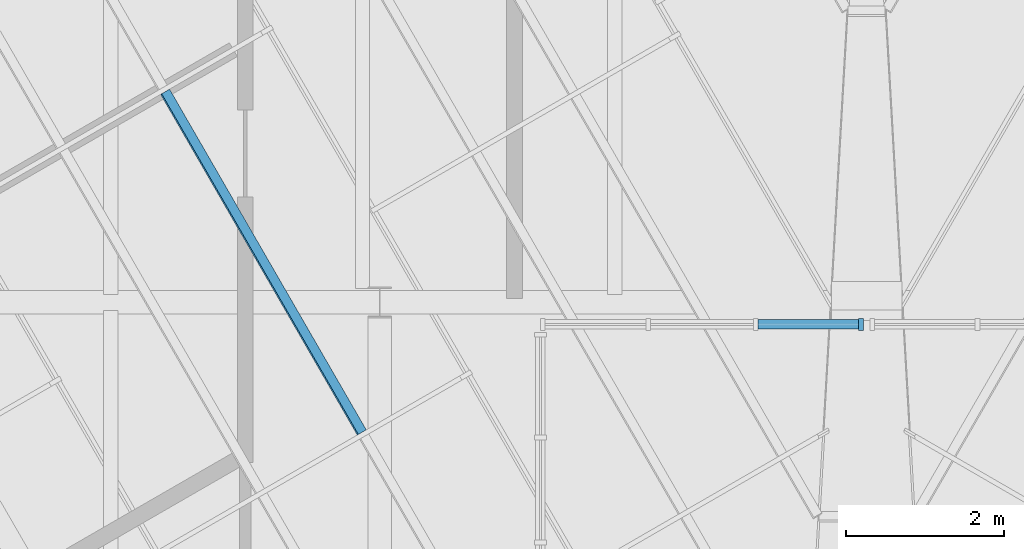
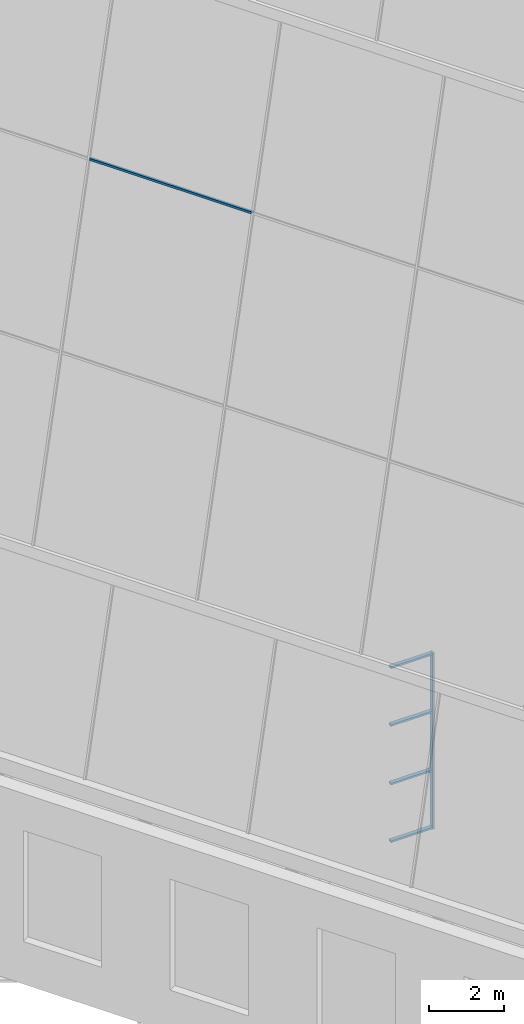
# One storey, part 14 of 36: 6 members, 2 elements without a shape of their own.
"""IFC4 building model written with IfcOpenShell, lengths in metres."""

from ifc_helpers import new_model, si_unit, direction, frame, origin, origin_2d, place, context, subcontext, project, spatial, rectangle, extrude, material, layer, layer_set, material_profile, profile_set, type_object, element, aggregate, save


model = new_model("IFC4")

# Units and contexts
model_context = context("Model", 3, precision=1e-05, world=origin(), true_north=direction((0.0, 1.0)))
body_context = subcontext(model_context, "Body", "Model", "MODEL_VIEW")
ifc_project = project(units=[si_unit("LENGTHUNIT", "METRE"), si_unit("AREAUNIT", "SQUARE_METRE"), si_unit("VOLUMEUNIT", "CUBIC_METRE"), si_unit("PLANEANGLEUNIT", "RADIAN"), si_unit("MASSUNIT", "GRAM", prefix="KILO")], contexts=[model_context])

# Site, building, storey
site_placement = place(None, origin())
site = spatial("IfcSite", under=ifc_project, at=site_placement, CompositionType="ELEMENT")
building_placement = place(site_placement, origin())
building = spatial("IfcBuilding", under=site, at=building_placement, Name="Njiva Tower", CompositionType="ELEMENT")
storey_placement = place(building_placement, frame((0.0, 0.0, 337.8)))
storey = spatial("IfcBuildingStorey", under=building, at=storey_placement, Name="L77", CompositionType="ELEMENT", Elevation=337.8)

# Curtain wall, member
ifc_material_1 = material(Name="Glazed curtain wall", Category="glass")
ifc_layer_1 = layer(ifc_material_1, 0.16)
ifc_layer_set_1 = layer_set([ifc_layer_1], Name="Glazed curtain wall")
curtain_wall_type_1 = type_object("IfcCurtainWallType", Name="CW2 Crown glazing, faceted point, long faces", PredefinedType="NOTDEFINED", material=ifc_layer_set_1)
curtain_wall_1_placement = place(storey_placement, origin())
curtain_wall_1 = element("IfcCurtainWall", 1, at=curtain_wall_1_placement, inside=storey, type_object=curtain_wall_type_1, Name="Crown glazing face SW tier 2", PredefinedType="NOTDEFINED")
ifc_material_2 = material(Name="Aluminium transom", Category="aluminium")
ifc_material_profile_1 = material_profile(ifc_material_2, rectangle(XDim=0.12, YDim=0.06, at=origin_2d()), Name="RECT 120x60")
ifc_profile_set_1 = profile_set([ifc_material_profile_1], Name="Aluminium transom")
member_type_1 = type_object("IfcMemberType", Name="CW2-T Crown glazing transom 120x60", PredefinedType="USERDEFINED", material=ifc_profile_set_1)
member_1_placement = place(storey_placement, frame((-8.8626, -0.5399, 22.9905), z_axis=(0.500008699995, -0.866020380782, 0.0), x_axis=(-0.834717805426, -0.4819357304, 0.266428483965)))
member_1 = element("IfcMember", 2, at=member_1_placement, type_object=member_type_1, Name="CW2-32 transom 5.2", ObjectType="TRANSOM", PredefinedType="USERDEFINED", context=body_context, shape_type="SweptSolid", body=[
    extrude(rectangle(XDim=0.12, YDim=0.06, at=origin_2d()), origin(), (0.0, 0.0, 1.0), 4.9695),
])
aggregate(curtain_wall_1, [member_1])

# Curtain wall, members
ifc_layer_2 = layer(ifc_material_1, 0.2)
ifc_layer_set_2 = layer_set([ifc_layer_2], Name="Glazed curtain wall")
curtain_wall_type_2 = type_object("IfcCurtainWallType", Name="CW5 Atrium lantern glazing", PredefinedType="NOTDEFINED", material=ifc_layer_set_2)
curtain_wall_2_placement = place(storey_placement, origin())
curtain_wall_2 = element("IfcCurtainWall", 3, at=curtain_wall_2_placement, inside=storey, type_object=curtain_wall_type_2, Name="Atrium lantern north 1", PredefinedType="NOTDEFINED")
ifc_material_3 = material(Name="Aluminium mullion", Category="aluminium")
ifc_material_profile_2 = material_profile(ifc_material_3, rectangle(XDim=0.15, YDim=0.06, at=origin_2d()), Name="RECT 150x60")
ifc_profile_set_2 = profile_set([ifc_material_profile_2], Name="Aluminium mullion")
member_type_2 = type_object("IfcMemberType", Name="CW5-M Lantern mullion 150x60", PredefinedType="MULLION", material=ifc_profile_set_2)
member_2_placement = place(storey_placement, frame((-0.07, -3.48, 0.0), z_axis=(0.0, 0.0, 1.0), x_axis=(0.0, 1.0, 0.0)))
member_2 = element("IfcMember", 4, at=member_2_placement, type_object=member_type_2, Name="CW5-3 mullion 4", PredefinedType="MULLION", context=body_context, shape_type="SweptSolid", body=[
    extrude(rectangle(XDim=0.15, YDim=0.06, at=origin_2d()), origin(), (0.0, 0.0, 1.0), 5.7),
])
ifc_material_profile_3 = material_profile(ifc_material_2, rectangle(XDim=0.12, YDim=0.06, at=origin_2d()), Name="RECT 120x60")
ifc_profile_set_3 = profile_set([ifc_material_profile_3], Name="Aluminium transom")
member_type_3 = type_object("IfcMemberType", Name="CW5-T Lantern transom 120x60", PredefinedType="USERDEFINED", material=ifc_profile_set_3)
member_3_placement = place(storey_placement, frame((-1.37, -3.48, 0.03), z_axis=(1.0, 0.0, 0.0), x_axis=(0.0, 1.0, 0.0)))
member_3 = element("IfcMember", 5, at=member_3_placement, type_object=member_type_3, Name="CW5-3 transom 3.1", ObjectType="TRANSOM", PredefinedType="USERDEFINED", context=body_context, shape_type="SweptSolid", body=[
    extrude(rectangle(XDim=0.12, YDim=0.06, at=origin_2d()), origin(), (0.0, 0.0, 1.0), 1.27),
])
member_4_placement = place(storey_placement, frame((-1.37, -3.48, 1.9), z_axis=(1.0, 0.0, 0.0), x_axis=(0.0, 1.0, 0.0)))
member_4 = element("IfcMember", 6, at=member_4_placement, type_object=member_type_3, Name="CW5-3 transom 3.2", ObjectType="TRANSOM", PredefinedType="USERDEFINED", context=body_context, shape_type="SweptSolid", body=[
    extrude(rectangle(XDim=0.12, YDim=0.06, at=origin_2d()), origin(), (0.0, 0.0, 1.0), 1.27),
])
member_5_placement = place(storey_placement, frame((-1.37, -3.48, 3.8), z_axis=(1.0, 0.0, 0.0), x_axis=(0.0, 1.0, 0.0)))
member_5 = element("IfcMember", 7, at=member_5_placement, type_object=member_type_3, Name="CW5-3 transom 3.3", ObjectType="TRANSOM", PredefinedType="USERDEFINED", context=body_context, shape_type="SweptSolid", body=[
    extrude(rectangle(XDim=0.12, YDim=0.06, at=origin_2d()), origin(), (0.0, 0.0, 1.0), 1.27),
])
member_6_placement = place(storey_placement, frame((-1.37, -3.48, 5.67), z_axis=(1.0, 0.0, 0.0), x_axis=(0.0, 1.0, 0.0)))
member_6 = element("IfcMember", 8, at=member_6_placement, type_object=member_type_3, Name="CW5-3 transom 3.4", ObjectType="TRANSOM", PredefinedType="USERDEFINED", context=body_context, shape_type="SweptSolid", body=[
    extrude(rectangle(XDim=0.12, YDim=0.06, at=origin_2d()), origin(), (0.0, 0.0, 1.0), 1.27),
])
aggregate(curtain_wall_2, [member_2, member_3, member_4, member_5, member_6])

save(model, "model.ifc")
